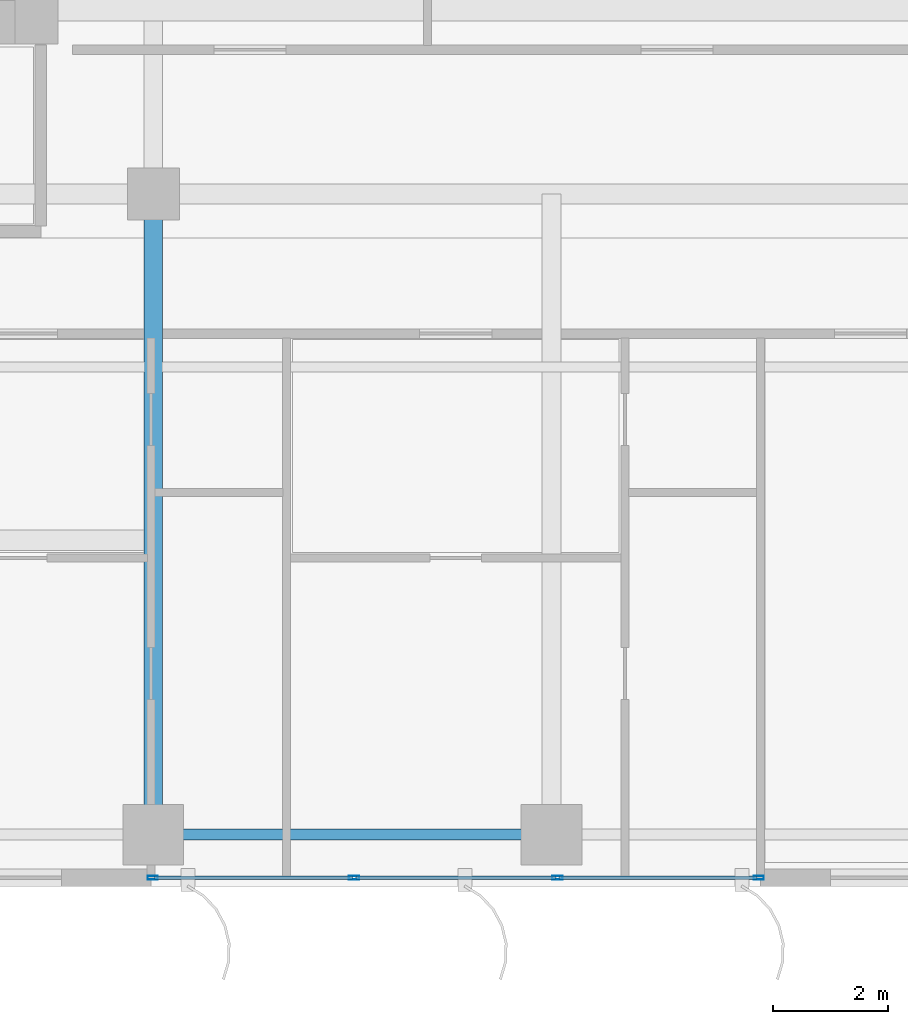
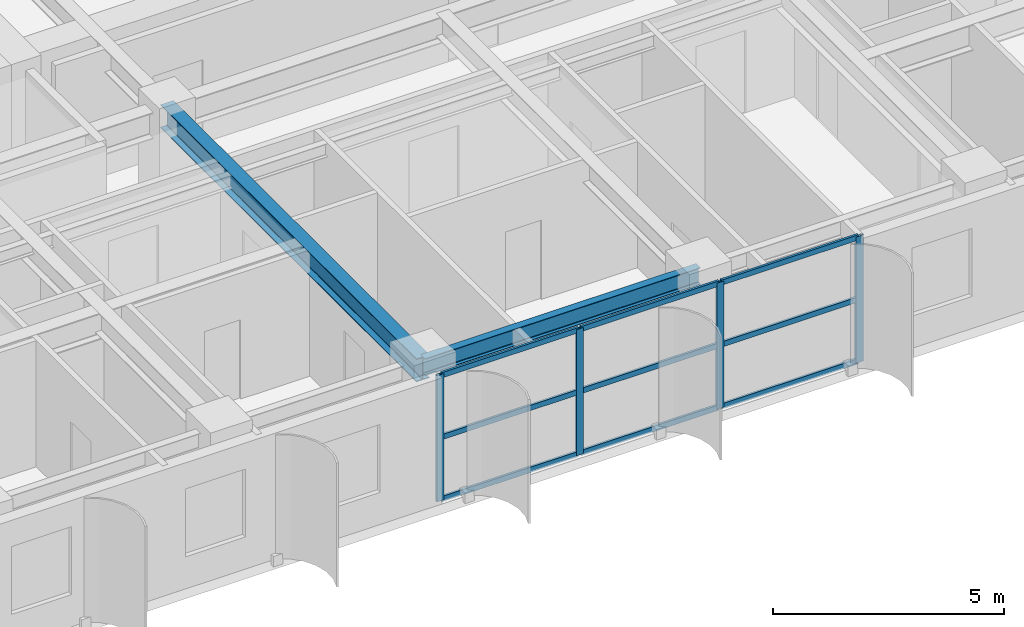
# One storey, part 2 of 22: 13 members, 2 beams, 1 element without a shape of its own.
"""IFC4 building model written with IfcOpenShell, lengths in metres."""

from ifc_helpers import new_model, si_unit, direction, frame, origin, origin_2d, place, context, subcontext, project, spatial, hollow_rectangle, i_section, extrude, source, transform, mapped, material, layer, layer_set, material_profile, profile_set, type_object, element, aggregate, save


model = new_model("IFC4")

# Units and contexts
model_context = context("Model", 3, precision=1e-05, world=origin(), true_north=direction((0.0, 1.0)))
body_context = subcontext(model_context, "Body", "Model", "MODEL_VIEW")
ifc_project = project(units=[si_unit("LENGTHUNIT", "METRE"), si_unit("AREAUNIT", "SQUARE_METRE"), si_unit("VOLUMEUNIT", "CUBIC_METRE"), si_unit("PLANEANGLEUNIT", "RADIAN"), si_unit("MASSUNIT", "GRAM", prefix="KILO")], contexts=[model_context])

# Site, building, storey
site_placement = place(None, origin())
site = spatial("IfcSite", under=ifc_project, at=site_placement, CompositionType="ELEMENT")
building_placement = place(site_placement, origin())
building = spatial("IfcBuilding", under=site, at=building_placement, Name="Khoralis Quay Care Tower", CompositionType="ELEMENT")
storey_placement = place(building_placement, frame((0.0, 0.0, 98.10009765625)))
storey = spatial("IfcBuildingStorey", under=building, at=storey_placement, Name="L25", CompositionType="ELEMENT", Elevation=98.10009765625)

# Beams
ifc_material_1 = material(Name="Steel S355", Category="steel")
ifc_material_profile_1 = material_profile(ifc_material_1, i_section(OverallWidth=0.18994140625, OverallDepth=0.449951171875, WebThickness=0.009521484375, FlangeThickness=0.0146484375, FilletRadius=0.02099609375, at=origin_2d()), Name="Steel S355")
ifc_profile_set_1 = profile_set([ifc_material_profile_1], Name="Steel S355")
beam_type_1 = type_object("IfcBeamType", Name="BM-IPE450", PredefinedType="SPANDREL", material=ifc_profile_set_1)
shared_shape_1 = source(origin(), body_context, "Body", "SweptSolid", [
    extrude(i_section(OverallWidth=0.18994140625, OverallDepth=0.449951171875, WebThickness=0.009521484375, FlangeThickness=0.0146484375, FilletRadius=0.02099609375, at=origin_2d()), origin(), (0.0, 0.0, 1.0), 6.89990234375),
])
beam_1_placement = place(storey_placement, frame((17.10009765625, 0.89990234375, 3.114990234375), z_axis=(1.0, 0.0, 0.0), x_axis=(0.0, 1.0, 0.0)))
element("IfcBeam", 1, at=beam_1_placement, inside=storey, type_object=beam_type_1, Name="BM-TSP-L25-03", PredefinedType="SPANDREL", context=body_context, shape_type="MappedRepresentation", body=[
    mapped(shared_shape_1, transform((0.0, 0.0, 0.0), scale=1.0)),
])
ifc_material_profile_2 = material_profile(ifc_material_1, i_section(OverallWidth=0.324951171875, OverallDepth=0.615966796875, WebThickness=0.013916015625, FlangeThickness=0.021484375, FilletRadius=0.01806640625, at=origin_2d()), Name="Steel S355")
ifc_profile_set_2 = profile_set([ifc_material_profile_2], Name="Steel S355")
beam_type_2 = type_object("IfcBeamType", Name="BM-W610X174", PredefinedType="BEAM", material=ifc_profile_set_2)
shared_shape_2 = source(origin(), body_context, "Body", "SweptSolid", [
    extrude(i_section(OverallWidth=0.324951171875, OverallDepth=0.615966796875, WebThickness=0.013916015625, FlangeThickness=0.021484375, FilletRadius=0.01806640625, at=origin_2d()), origin(), (0.0, 0.0, 1.0), 11.10009765625),
])
beam_2_placement = place(storey_placement, frame((17.10009765625, 0.89990234375, 3.031982421875), z_axis=(0.0, 1.0, 0.0), x_axis=(-1.0, 0.0, 0.0)))
element("IfcBeam", 2, at=beam_2_placement, inside=storey, type_object=beam_type_2, Name="BM-TGYS-L25-171", PredefinedType="BEAM", context=body_context, shape_type="MappedRepresentation", body=[
    mapped(shared_shape_2, transform((0.0, 0.0, 0.0), scale=1.0)),
])

# Curtain wall, members
ifc_material_2 = material(Name="Pale anodised aluminium", Category="aluminium")
ifc_layer = layer(ifc_material_2, 0.169921875)
ifc_layer_set = layer_set([ifc_layer], Name="Pale anodised aluminium")
curtain_wall_type = type_object("IfcCurtainWallType", Name="CW-SYS-Z2", PredefinedType="NOTDEFINED", material=ifc_layer_set)
curtain_wall_placement = place(storey_placement, origin())
curtain_wall = element("IfcCurtainWall", 3, at=curtain_wall_placement, inside=storey, type_object=curtain_wall_type, Name="L25 Unitised Curtain Wall CW-L25-P1-E0", PredefinedType="NOTDEFINED")
ifc_material_profile_3 = material_profile(ifc_material_2, hollow_rectangle(XDim=0.06494140625, YDim=0.179931640625, WallThickness=0.00390625, at=origin_2d()), Name="Pale anodised aluminium")
ifc_profile_set_3 = profile_set([ifc_material_profile_3], Name="Pale anodised aluminium")
member_type_1 = type_object("IfcMemberType", Name="CW-MUL-180", PredefinedType="MULLION", material=ifc_profile_set_3)
shared_shape_3 = source(origin(), body_context, "Body", "SweptSolid", [
    extrude(hollow_rectangle(XDim=0.06494140625, YDim=0.179931640625, WallThickness=0.00390625, at=origin_2d()), origin(), (0.0, 0.0, 1.0), 3.33984375),
])
member_1_placement = place(storey_placement, frame((17.090087890625, 0.14990234375, 0.0), z_axis=(0.0, 0.0, 1.0), x_axis=(0.0, 1.0, 0.0)))
member_1 = element("IfcMember", 4, at=member_1_placement, type_object=member_type_1, Name="CW2 mullion 1", PredefinedType="MULLION", context=body_context, shape_type="MappedRepresentation", body=[
    mapped(shared_shape_3, transform((0.0, 0.0, 0.0), scale=1.0)),
])
member_2_placement = place(storey_placement, frame((20.580078125, 0.14990234375, 0.0), z_axis=(0.0, 0.0, 1.0), x_axis=(0.0, 1.0, 0.0)))
member_2 = element("IfcMember", 5, at=member_2_placement, type_object=member_type_1, Name="CW2 mullion 2", PredefinedType="MULLION", context=body_context, shape_type="MappedRepresentation", body=[
    mapped(shared_shape_3, transform((0.0, 0.0, 0.0), scale=1.0)),
])
member_3_placement = place(storey_placement, frame((24.10009765625, 0.14990234375, 0.0), z_axis=(0.0, 0.0, 1.0), x_axis=(0.0, 1.0, 0.0)))
member_3 = element("IfcMember", 6, at=member_3_placement, type_object=member_type_1, Name="CW2 mullion 3", PredefinedType="MULLION", context=body_context, shape_type="MappedRepresentation", body=[
    mapped(shared_shape_3, transform((0.0, 0.0, 0.0), scale=1.0)),
])
member_4_placement = place(storey_placement, frame((27.590087890625, 0.14990234375, 0.0), z_axis=(0.0, 0.0, 1.0), x_axis=(0.0, 1.0, 0.0)))
member_4 = element("IfcMember", 7, at=member_4_placement, type_object=member_type_1, Name="CW2 mullion 4", PredefinedType="MULLION", context=body_context, shape_type="MappedRepresentation", body=[
    mapped(shared_shape_3, transform((0.0, 0.0, 0.0), scale=1.0)),
])
ifc_material_profile_4 = material_profile(ifc_material_2, hollow_rectangle(XDim=0.06005859375, YDim=0.139892578125, WallThickness=0.00390625, at=origin_2d()), Name="Pale anodised aluminium")
ifc_profile_set_4 = profile_set([ifc_material_profile_4], Name="Pale anodised aluminium")
member_type_2 = type_object("IfcMemberType", Name="CW-TRN-140", PredefinedType="USERDEFINED", material=ifc_profile_set_4)
shared_shape_4 = source(origin(), body_context, "Body", "SweptSolid", [
    extrude(hollow_rectangle(XDim=0.06005859375, YDim=0.139892578125, WallThickness=0.00390625, at=origin_2d()), origin(), (0.0, 0.0, 1.0), 3.429931640625),
])
member_5_placement = place(storey_placement, frame((17.1201171875, 0.14990234375, 0.02978515625), z_axis=(1.0, 0.0, 0.0), x_axis=(0.0, 1.0, 0.0)))
member_5 = element("IfcMember", 8, at=member_5_placement, type_object=member_type_2, Name="CW2 transom 1.1", ObjectType="TRANSOM", PredefinedType="USERDEFINED", context=body_context, shape_type="MappedRepresentation", body=[
    mapped(shared_shape_4, transform((0.0, 0.0, 0.0), scale=1.0)),
])
member_6_placement = place(storey_placement, frame((17.1201171875, 0.14990234375, 1.669921875), z_axis=(1.0, 0.0, 0.0), x_axis=(0.0, 1.0, 0.0)))
member_6 = element("IfcMember", 9, at=member_6_placement, type_object=member_type_2, Name="CW2 transom 1.2", ObjectType="TRANSOM", PredefinedType="USERDEFINED", context=body_context, shape_type="MappedRepresentation", body=[
    mapped(shared_shape_4, transform((0.0, 0.0, 0.0), scale=1.0)),
])
member_7_placement = place(storey_placement, frame((17.1201171875, 0.14990234375, 3.309814453125), z_axis=(1.0, 0.0, 0.0), x_axis=(0.0, 1.0, 0.0)))
member_7 = element("IfcMember", 10, at=member_7_placement, type_object=member_type_2, Name="CW2 transom 1.3", ObjectType="TRANSOM", PredefinedType="USERDEFINED", context=body_context, shape_type="MappedRepresentation", body=[
    mapped(shared_shape_4, transform((0.0, 0.0, 0.0), scale=1.0)),
])
shared_shape_5 = source(origin(), body_context, "Body", "SweptSolid", [
    extrude(hollow_rectangle(XDim=0.06005859375, YDim=0.139892578125, WallThickness=0.00390625, at=origin_2d()), origin(), (0.0, 0.0, 1.0), 3.4599609375),
])
member_8_placement = place(storey_placement, frame((20.610107421875, 0.14990234375, 0.02978515625), z_axis=(1.0, 0.0, 0.0), x_axis=(0.0, 1.0, 0.0)))
member_8 = element("IfcMember", 11, at=member_8_placement, type_object=member_type_2, Name="CW2 transom 2.1", ObjectType="TRANSOM", PredefinedType="USERDEFINED", context=body_context, shape_type="MappedRepresentation", body=[
    mapped(shared_shape_5, transform((0.0, 0.0, 0.0), scale=1.0)),
])
member_9_placement = place(storey_placement, frame((20.610107421875, 0.14990234375, 1.669921875), z_axis=(1.0, 0.0, 0.0), x_axis=(0.0, 1.0, 0.0)))
member_9 = element("IfcMember", 12, at=member_9_placement, type_object=member_type_2, Name="CW2 transom 2.2", ObjectType="TRANSOM", PredefinedType="USERDEFINED", context=body_context, shape_type="MappedRepresentation", body=[
    mapped(shared_shape_5, transform((0.0, 0.0, 0.0), scale=1.0)),
])
member_10_placement = place(storey_placement, frame((20.610107421875, 0.14990234375, 3.309814453125), z_axis=(1.0, 0.0, 0.0), x_axis=(0.0, 1.0, 0.0)))
member_10 = element("IfcMember", 13, at=member_10_placement, type_object=member_type_2, Name="CW2 transom 2.3", ObjectType="TRANSOM", PredefinedType="USERDEFINED", context=body_context, shape_type="MappedRepresentation", body=[
    mapped(shared_shape_5, transform((0.0, 0.0, 0.0), scale=1.0)),
])
shared_shape_6 = source(origin(), body_context, "Body", "SweptSolid", [
    extrude(hollow_rectangle(XDim=0.06005859375, YDim=0.139892578125, WallThickness=0.00390625, at=origin_2d()), origin(), (0.0, 0.0, 1.0), 3.43017578125),
])
member_11_placement = place(storey_placement, frame((24.1298828125, 0.14990234375, 0.02978515625), z_axis=(1.0, 0.0, 0.0), x_axis=(0.0, 1.0, 0.0)))
member_11 = element("IfcMember", 14, at=member_11_placement, type_object=member_type_2, Name="CW2 transom 3.1", ObjectType="TRANSOM", PredefinedType="USERDEFINED", context=body_context, shape_type="MappedRepresentation", body=[
    mapped(shared_shape_6, transform((0.0, 0.0, 0.0), scale=1.0)),
])
member_12_placement = place(storey_placement, frame((24.1298828125, 0.14990234375, 1.669921875), z_axis=(1.0, 0.0, 0.0), x_axis=(0.0, 1.0, 0.0)))
member_12 = element("IfcMember", 15, at=member_12_placement, type_object=member_type_2, Name="CW2 transom 3.2", ObjectType="TRANSOM", PredefinedType="USERDEFINED", context=body_context, shape_type="MappedRepresentation", body=[
    mapped(shared_shape_6, transform((0.0, 0.0, 0.0), scale=1.0)),
])
member_13_placement = place(storey_placement, frame((24.1298828125, 0.14990234375, 3.309814453125), z_axis=(1.0, 0.0, 0.0), x_axis=(0.0, 1.0, 0.0)))
member_13 = element("IfcMember", 16, at=member_13_placement, type_object=member_type_2, Name="CW2 transom 3.3", ObjectType="TRANSOM", PredefinedType="USERDEFINED", context=body_context, shape_type="MappedRepresentation", body=[
    mapped(shared_shape_6, transform((0.0, 0.0, 0.0), scale=1.0)),
])
aggregate(curtain_wall, [member_1, member_2, member_3, member_4, member_5, member_6, member_7, member_8, member_9, member_10, member_11, member_12, member_13])

save(model, "model.ifc")
